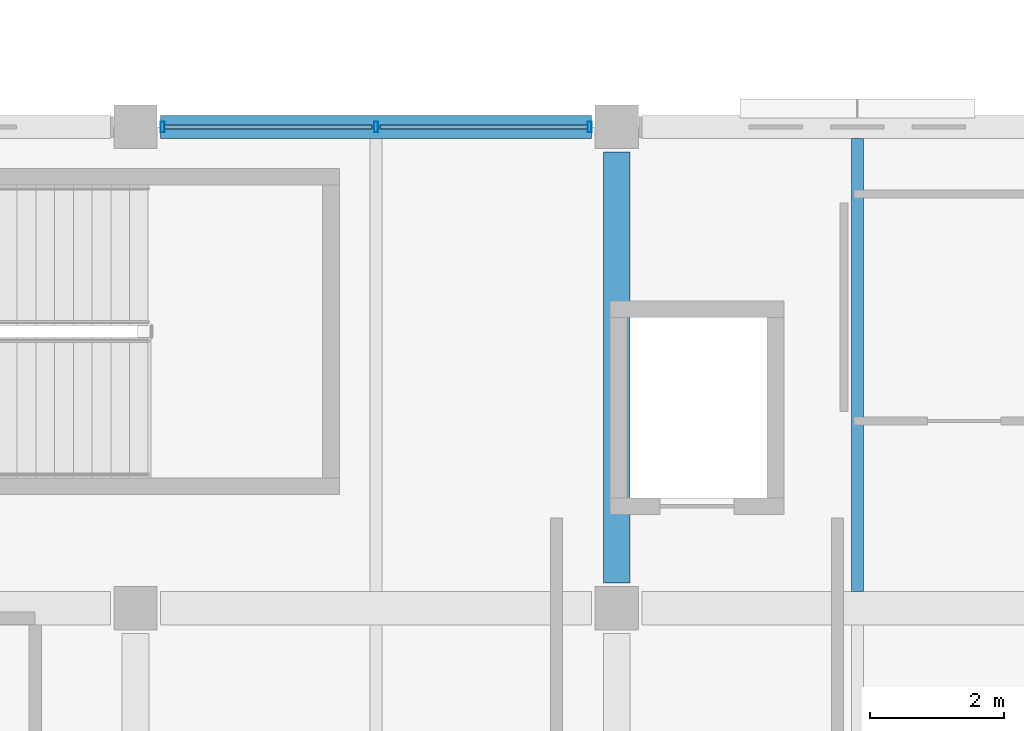
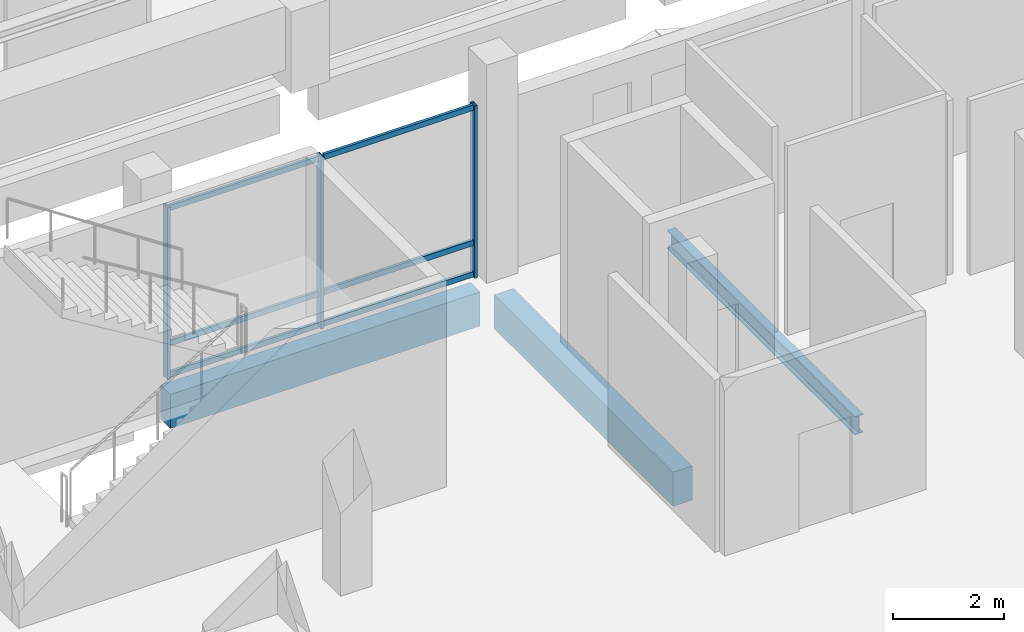
# One storey, part 33 of 116: 9 members, 3 beams, 1 element without a shape of its own.
"""IFC4 building model written with IfcOpenShell, lengths in metres."""

from ifc_helpers import new_model, si_unit, direction, frame, origin, origin_2d, place, context, subcontext, project, spatial, rectangle, hollow_rectangle, i_section, extrude, material, material_profile, profile_set, type_object, element, aggregate, save


model = new_model("IFC4")

# Units and contexts
model_context = context("Model", 3, precision=1e-05, world=origin(), true_north=direction((0.0, 1.0)))
body_context = subcontext(model_context, "Body", "Model", "MODEL_VIEW")
ifc_project = project(units=[si_unit("LENGTHUNIT", "METRE"), si_unit("AREAUNIT", "SQUARE_METRE"), si_unit("VOLUMEUNIT", "CUBIC_METRE"), si_unit("PLANEANGLEUNIT", "RADIAN"), si_unit("MASSUNIT", "GRAM", prefix="KILO")], contexts=[model_context])

# Site, building, storey
site_placement = place(None, origin())
site = spatial("IfcSite", under=ifc_project, at=site_placement, CompositionType="ELEMENT")
building_placement = place(site_placement, origin())
building = spatial("IfcBuilding", under=site, at=building_placement, Name="Cendralis Lancet Convention Centre", CompositionType="ELEMENT")
storey_placement = place(building_placement, frame((0.0, 0.0, 15.0)))
storey = spatial("IfcBuildingStorey", under=building, at=storey_placement, Name="L03", CompositionType="ELEMENT", Elevation=15.0)

# Curtain wall, members
ifc_material_1 = material(Name="Anodised bronze architectural aluminium", Category="aluminium")
curtain_wall_type = type_object("IfcCurtainWallType", Name="ARC-CW-CL02", PredefinedType="USERDEFINED", material=ifc_material_1)
curtain_wall_placement = place(storey_placement, origin())
curtain_wall = element("IfcCurtainWall", 1, at=curtain_wall_placement, inside=storey, type_object=curtain_wall_type, Name="L03 Curtain Wall CW-CL2 #189", ObjectType="CURTAIN WALL", PredefinedType="USERDEFINED")
ifc_material_profile_1 = material_profile(ifc_material_1, hollow_rectangle(XDim=0.06005859375, YDim=0.159912109375, WallThickness=0.00390625, at=origin_2d()), Name="AL-MULL 60x160x4.0")
ifc_profile_set_1 = profile_set([ifc_material_profile_1], Name="Anodised bronze architectural aluminium")
member_type_1 = type_object("IfcMemberType", Name="ARC-CW-ML01", PredefinedType="MULLION", material=ifc_profile_set_1)
member_1_placement = place(storey_placement, frame((175.60498046875, 36.0, 0.0), z_axis=(0.0, 0.0, 1.0), x_axis=(1.0, 0.0, 0.0)))
member_1 = element("IfcMember", 2, at=member_1_placement, type_object=member_type_1, Name="Mullion CW2-CW-CL2-L03-189-M0", PredefinedType="MULLION", context=body_context, shape_type="SweptSolid", body=[
    extrude(hollow_rectangle(XDim=0.06005859375, YDim=0.159912109375, WallThickness=0.00390625, at=origin_2d()), origin(), (0.0, 0.0, 1.0), 3.784912109375),
])
member_2_placement = place(storey_placement, frame((178.800048828125, 36.0, 0.0), z_axis=(0.0, 0.0, 1.0), x_axis=(1.0, 0.0, 0.0)))
member_2 = element("IfcMember", 3, at=member_2_placement, type_object=member_type_1, Name="Mullion CW2-CW-CL2-L03-189-M1", PredefinedType="MULLION", context=body_context, shape_type="SweptSolid", body=[
    extrude(hollow_rectangle(XDim=0.06005859375, YDim=0.159912109375, WallThickness=0.00390625, at=origin_2d()), origin(), (0.0, 0.0, 1.0), 3.784912109375),
])
member_3_placement = place(storey_placement, frame((181.9951171875, 36.0, 0.0), z_axis=(0.0, 0.0, 1.0), x_axis=(1.0, 0.0, 0.0)))
member_3 = element("IfcMember", 4, at=member_3_placement, type_object=member_type_1, Name="Mullion CW2-CW-CL2-L03-189-M2", PredefinedType="MULLION", context=body_context, shape_type="SweptSolid", body=[
    extrude(hollow_rectangle(XDim=0.06005859375, YDim=0.159912109375, WallThickness=0.00390625, at=origin_2d()), origin(), (0.0, 0.0, 1.0), 3.784912109375),
])
ifc_material_profile_2 = material_profile(ifc_material_1, hollow_rectangle(XDim=0.06005859375, YDim=0.1201171875, WallThickness=0.00390625, at=origin_2d()), Name="AL-TRAN 60x120x4.0")
ifc_profile_set_2 = profile_set([ifc_material_profile_2], Name="Anodised bronze architectural aluminium")
member_type_2 = type_object("IfcMemberType", Name="ARC-CW-TR01", PredefinedType="USERDEFINED", material=ifc_profile_set_2)
member_4_placement = place(storey_placement, frame((175.635009765625, 36.0, 0.06005859375), z_axis=(1.0, 0.0, 0.0), x_axis=(0.0, 1.0, 0.0)))
member_4 = element("IfcMember", 5, at=member_4_placement, type_object=member_type_2, Name="Transom CW2-CW-CL2-L03-189-T0BOT", ObjectType="TRANSOM", PredefinedType="USERDEFINED", context=body_context, shape_type="SweptSolid", body=[
    extrude(hollow_rectangle(XDim=0.06005859375, YDim=0.1201171875, WallThickness=0.00390625, at=origin_2d()), origin(), (0.0, 0.0, 1.0), 3.10498046875),
])
member_5_placement = place(storey_placement, frame((175.635009765625, 36.0, 0.75), z_axis=(1.0, 0.0, 0.0), x_axis=(0.0, 1.0, 0.0)))
member_5 = element("IfcMember", 6, at=member_5_placement, type_object=member_type_2, Name="Transom CW2-CW-CL2-L03-189-T0MID", ObjectType="TRANSOM", PredefinedType="USERDEFINED", context=body_context, shape_type="SweptSolid", body=[
    extrude(hollow_rectangle(XDim=0.06005859375, YDim=0.1201171875, WallThickness=0.00390625, at=origin_2d()), origin(), (0.0, 0.0, 1.0), 3.10498046875),
])
member_6_placement = place(storey_placement, frame((175.635009765625, 36.0, 3.72509765625), z_axis=(1.0, 0.0, 0.0), x_axis=(0.0, 1.0, 0.0)))
member_6 = element("IfcMember", 7, at=member_6_placement, type_object=member_type_2, Name="Transom CW2-CW-CL2-L03-189-T0TOP", ObjectType="TRANSOM", PredefinedType="USERDEFINED", context=body_context, shape_type="SweptSolid", body=[
    extrude(hollow_rectangle(XDim=0.06005859375, YDim=0.1201171875, WallThickness=0.00390625, at=origin_2d()), origin(), (0.0, 0.0, 1.0), 3.10498046875),
])
member_7_placement = place(storey_placement, frame((178.860107421875, 36.0, 0.06005859375), z_axis=(1.0, 0.0, 0.0), x_axis=(0.0, 1.0, 0.0)))
member_7 = element("IfcMember", 8, at=member_7_placement, type_object=member_type_2, Name="Transom CW2-CW-CL2-L03-189-T1BOT", ObjectType="TRANSOM", PredefinedType="USERDEFINED", context=body_context, shape_type="SweptSolid", body=[
    extrude(hollow_rectangle(XDim=0.06005859375, YDim=0.1201171875, WallThickness=0.00390625, at=origin_2d()), origin(), (0.0, 0.0, 1.0), 3.10498046875),
])
member_8_placement = place(storey_placement, frame((178.860107421875, 36.0, 0.75), z_axis=(1.0, 0.0, 0.0), x_axis=(0.0, 1.0, 0.0)))
member_8 = element("IfcMember", 9, at=member_8_placement, type_object=member_type_2, Name="Transom CW2-CW-CL2-L03-189-T1MID", ObjectType="TRANSOM", PredefinedType="USERDEFINED", context=body_context, shape_type="SweptSolid", body=[
    extrude(hollow_rectangle(XDim=0.06005859375, YDim=0.1201171875, WallThickness=0.00390625, at=origin_2d()), origin(), (0.0, 0.0, 1.0), 3.10498046875),
])
member_9_placement = place(storey_placement, frame((178.860107421875, 36.0, 3.72509765625), z_axis=(1.0, 0.0, 0.0), x_axis=(0.0, 1.0, 0.0)))
member_9 = element("IfcMember", 10, at=member_9_placement, type_object=member_type_2, Name="Transom CW2-CW-CL2-L03-189-T1TOP", ObjectType="TRANSOM", PredefinedType="USERDEFINED", context=body_context, shape_type="SweptSolid", body=[
    extrude(hollow_rectangle(XDim=0.06005859375, YDim=0.1201171875, WallThickness=0.00390625, at=origin_2d()), origin(), (0.0, 0.0, 1.0), 3.10498046875),
])
aggregate(curtain_wall, [member_1, member_2, member_3, member_4, member_5, member_6, member_7, member_8, member_9])

# Beams
ifc_material_2 = material(Name="Concrete G35 (C35/45)", Category="concrete")
ifc_material_profile_3 = material_profile(ifc_material_2, rectangle(XDim=0.39990234375, YDim=0.75, at=origin_2d()), Name="RCB 400x750")
ifc_profile_set_3 = profile_set([ifc_material_profile_3], Name="Concrete G35 (C35/45)")
beam_type_1 = type_object("IfcBeamType", Name="STR-BM-BG12", PredefinedType="BEAM", material=ifc_profile_set_3)
beam_1_placement = place(storey_placement, frame((182.39990234375, 29.175048828125, -0.635009765625), z_axis=(0.0, 1.0, 0.0), x_axis=(-1.0, 0.0, 0.0)))
element("IfcBeam", 11, at=beam_1_placement, inside=storey, type_object=beam_type_1, Name="L03 Beam BG12 #0458", PredefinedType="BEAM", context=body_context, shape_type="SweptSolid", body=[
    extrude(rectangle(XDim=0.39990234375, YDim=0.75, at=origin_2d()), origin(), (0.0, 0.0, 1.0), 6.449951171875),
])
ifc_material_3 = material(Name="Steel S355", Category="steel")
ifc_material_profile_4 = material_profile(ifc_material_3, i_section(OverallWidth=0.179931640625, OverallDepth=0.39990234375, WebThickness=0.008544921875, FlangeThickness=0.013427734375, FilletRadius=0.02099609375, at=origin_2d()), Name="IPE 400")
ifc_profile_set_4 = profile_set([ifc_material_profile_4], Name="Steel S355")
beam_type_2 = type_object("IfcBeamType", Name="STR-JS-BJ08", PredefinedType="JOIST", material=ifc_profile_set_4)
beam_2_placement = place(storey_placement, frame((186.0, 29.050048828125, -0.4599609375), z_axis=(0.0, 1.0, 0.0), x_axis=(-1.0, 0.0, 0.0)))
element("IfcBeam", 12, at=beam_2_placement, inside=storey, type_object=beam_type_2, Name="L03 Beam BJ08 #0497", PredefinedType="JOIST", context=body_context, shape_type="SweptSolid", body=[
    extrude(i_section(OverallWidth=0.179931640625, OverallDepth=0.39990234375, WebThickness=0.008544921875, FlangeThickness=0.013427734375, FilletRadius=0.02099609375, at=origin_2d()), origin(), (0.0, 0.0, 1.0), 6.77490234375),
])
ifc_material_4 = material(Name="Concrete G40 (C40/50)", Category="concrete")
ifc_material_profile_5 = material_profile(ifc_material_4, rectangle(XDim=0.35009765625, YDim=0.75, at=origin_2d()), Name="RCB 350x750")
ifc_profile_set_5 = profile_set([ifc_material_profile_5], Name="Concrete G40 (C40/50)")
beam_type_3 = type_object("IfcBeamType", Name="STR-SP-SP01", PredefinedType="SPANDREL", material=ifc_profile_set_5)
beam_3_placement = place(storey_placement, frame((175.574951171875, 36.0, -0.635009765625), z_axis=(1.0, 0.0, 0.0), x_axis=(0.0, 1.0, 0.0)))
element("IfcBeam", 13, at=beam_3_placement, inside=storey, type_object=beam_type_3, Name="L03 Beam SP01 #0425", PredefinedType="SPANDREL", context=body_context, shape_type="SweptSolid", body=[
    extrude(rectangle(XDim=0.35009765625, YDim=0.75, at=origin_2d()), origin(), (0.0, 0.0, 1.0), 6.449951171875),
])

save(model, "model.ifc")
